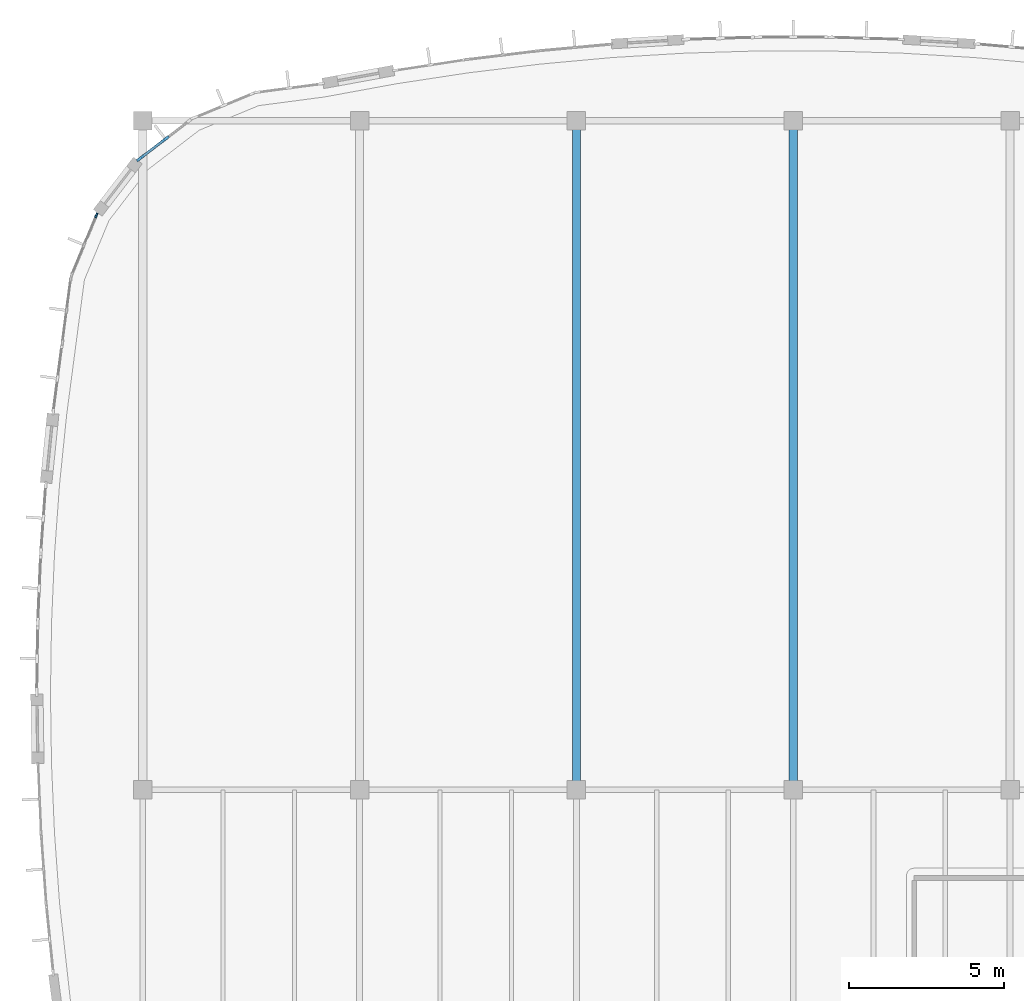
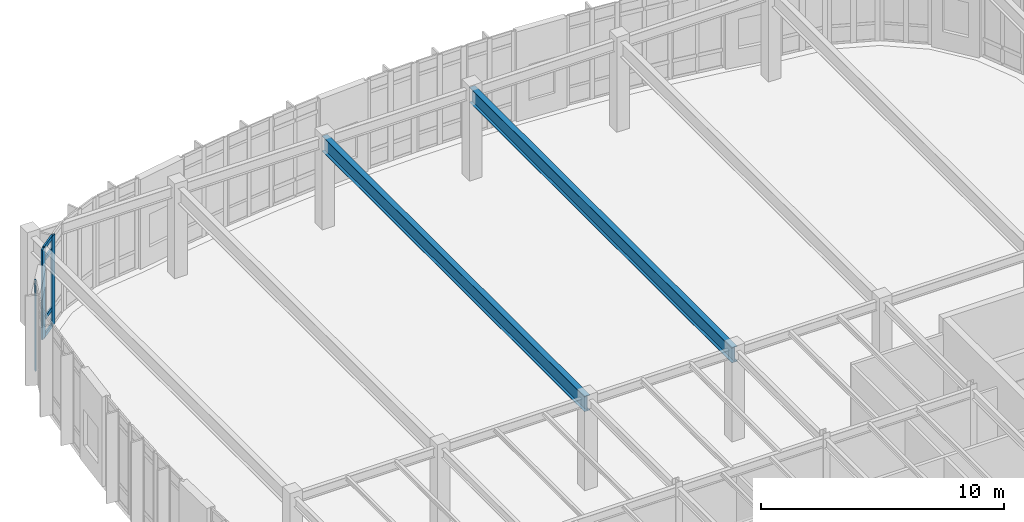
# One storey, part 45 of 120: 7 members, 2 beams, 2 elements without a shape of their own.
"""IFC4 building model written with IfcOpenShell, lengths in metres."""

from ifc_helpers import new_model, si_unit, direction, frame, origin, origin_2d, place, context, subcontext, project, spatial, rectangle, i_section, extrude, material, material_profile, profile_set, type_object, element, aggregate, save


model = new_model("IFC4")

# Units and contexts
model_context = context("Model", 3, precision=1e-05, world=origin(), true_north=direction((0.0, 1.0)))
body_context = subcontext(model_context, "Body", "Model", "MODEL_VIEW")
ifc_project = project(units=[si_unit("LENGTHUNIT", "METRE"), si_unit("AREAUNIT", "SQUARE_METRE"), si_unit("VOLUMEUNIT", "CUBIC_METRE"), si_unit("PLANEANGLEUNIT", "RADIAN"), si_unit("MASSUNIT", "GRAM", prefix="KILO")], contexts=[model_context])

# Site, building, storey
site_placement = place(None, origin())
site = spatial("IfcSite", under=ifc_project, at=site_placement, CompositionType="ELEMENT")
building_placement = place(site_placement, origin())
building = spatial("IfcBuilding", under=site, at=building_placement, Name="Corveleigh Park Community Centre", CompositionType="ELEMENT")
storey_placement = place(building_placement, origin())
storey = spatial("IfcBuildingStorey", under=building, at=storey_placement, Name="L00", CompositionType="ELEMENT", Elevation=0.0)

# Beams
ifc_material_1 = material(Name="Steel S355", Category="steel")
ifc_material_profile_1 = material_profile(ifc_material_1, i_section(OverallWidth=0.2666015625, OverallDepth=0.76220703125, WebThickness=0.014404296875, FlangeThickness=0.021484375, at=origin_2d()), Name="UKB 762x267x173", Category="steel")
ifc_profile_set_1 = profile_set([ifc_material_profile_1], Name="Steel S355")
beam_type = type_object("IfcBeamType", Name="BM-STL-UKB762x173", PredefinedType="BEAM", material=ifc_profile_set_1)
for number, where, z_axis, x_axis, name in (
    (1, (25.199951171875, 92.804931640625, 4.14599609375), (0.0, 1.0, 0.0), (-1.0, 0.0, 0.0), "V2 Hall Floor Girder"),
    (2, (32.199951171875, 92.804931640625, 4.14599609375), (0.0, 1.0, 0.0), (-1.0, 0.0, 0.0), "V2 Hall Floor Girder"),
):
    element("IfcBeam", number, at=place(storey_placement, frame(where, z_axis=z_axis, x_axis=x_axis)), inside=storey, type_object=beam_type, Name=name, PredefinedType="BEAM", context=body_context, shape_type="SweptSolid", body=[
        extrude(i_section(OverallWidth=0.2666015625, OverallDepth=0.76220703125, WebThickness=0.014404296875, FlangeThickness=0.021484375, at=origin_2d()), origin(), (0.0, 0.0, 1.0), 21.590087890625),
    ])

# Curtain wall, member
ifc_material_2 = material(Name="Anodised aluminium 6063-T6", Category="aluminium")
curtain_wall_type = type_object("IfcCurtainWallType", Name="CW-SYS-V2-L00", PredefinedType="NOTDEFINED", material=ifc_material_2)
curtain_wall_1_placement = place(storey_placement, origin())
curtain_wall_1 = element("IfcCurtainWall", 3, at=curtain_wall_1_placement, inside=storey, type_object=curtain_wall_type, Name="V2 L00 Curtain Wall 61", PredefinedType="NOTDEFINED")
ifc_material_profile_2 = material_profile(ifc_material_2, rectangle(XDim=0.06005859375, YDim=0.159912109375, at=origin_2d()), Name="ALU-M60x160", Category="aluminium")
ifc_profile_set_2 = profile_set([ifc_material_profile_2], Name="Anodised aluminium 6063-T6")
member_type_1 = type_object("IfcMemberType", Name="CWM-60x160", PredefinedType="MULLION", material=ifc_profile_set_2)
member_1_placement = place(storey_placement, frame((9.701416015625, 111.34228515625, 0.0), z_axis=(0.0, 0.0, 1.0), x_axis=(-0.923770494231, 0.382946568059, 0.0)))
member_1 = element("IfcMember", 4, at=member_1_placement, type_object=member_type_1, Name="CW03 mullion 3", PredefinedType="MULLION", context=body_context, shape_type="SweptSolid", body=[
    extrude(rectangle(XDim=0.06005859375, YDim=0.159912109375, at=origin_2d()), origin(), (0.0, 0.0, 1.0), 4.511962890625),
])
aggregate(curtain_wall_1, [member_1])

# Curtain wall, members
curtain_wall_2_placement = place(storey_placement, origin())
curtain_wall_2 = element("IfcCurtainWall", 5, at=curtain_wall_2_placement, inside=storey, type_object=curtain_wall_type, Name="V2 L00 Curtain Wall 60", PredefinedType="NOTDEFINED")
ifc_material_profile_3 = material_profile(ifc_material_2, rectangle(XDim=0.0849609375, YDim=0.27490234375, at=origin_2d()), Name="ALU-M85x275", Category="aluminium")
ifc_profile_set_3 = profile_set([ifc_material_profile_3], Name="Anodised aluminium 6063-T6")
member_type_2 = type_object("IfcMemberType", Name="CWM-85x275", PredefinedType="MULLION", material=ifc_profile_set_3)
member_2_placement = place(storey_placement, frame((11.11865234375, 113.184814453125, 0.0), z_axis=(0.0, 0.0, 1.0), x_axis=(-0.608825655317, 0.793304053581, 0.0)))
member_2 = element("IfcMember", 6, at=member_2_placement, type_object=member_type_2, Name="CW03 mullion 1", PredefinedType="MULLION", context=body_context, shape_type="SweptSolid", body=[
    extrude(rectangle(XDim=0.0849609375, YDim=0.27490234375, at=origin_2d()), origin(), (0.0, 0.0, 1.0), 4.511962890625),
])
member_3_placement = place(storey_placement, frame((11.929931640625, 113.8076171875, 0.0), z_axis=(0.0, 0.0, 1.0), x_axis=(-0.608825655317, 0.793304053581, 0.0)))
member_3 = element("IfcMember", 7, at=member_3_placement, type_object=member_type_2, Name="CW03 mullion 2", PredefinedType="MULLION", context=body_context, shape_type="SweptSolid", body=[
    extrude(rectangle(XDim=0.0849609375, YDim=0.27490234375, at=origin_2d()), origin(), (0.0, 0.0, 1.0), 4.511962890625),
])
ifc_material_profile_4 = material_profile(ifc_material_2, rectangle(XDim=0.080078125, YDim=0.195068359375, at=origin_2d()), Name="ALU-T80x195", Category="aluminium")
ifc_profile_set_4 = profile_set([ifc_material_profile_4], Name="Anodised aluminium 6063-T6")
member_type_3 = type_object("IfcMemberType", Name="CWT-80x195", PredefinedType="USERDEFINED", material=ifc_profile_set_4)
member_4_placement = place(storey_placement, frame((11.15234375, 113.210693359375, 0.0400390625), z_axis=(0.793233293584, 0.608917844993, 0.0), x_axis=(-0.608917844993, 0.793233293584, 0.0)))
member_4 = element("IfcMember", 8, at=member_4_placement, type_object=member_type_3, Name="CW03 transom 1.1", ObjectType="TRANSOM", PredefinedType="USERDEFINED", context=body_context, shape_type="SweptSolid", body=[
    extrude(rectangle(XDim=0.080078125, YDim=0.195068359375, at=origin_2d()), origin(), (0.0, 0.0, 1.0), 0.937744140625),
])
member_5_placement = place(storey_placement, frame((11.15234375, 113.210693359375, 0.89990234375), z_axis=(0.793233293584, 0.608917844993, 0.0), x_axis=(-0.608917844993, 0.793233293584, 0.0)))
member_5 = element("IfcMember", 9, at=member_5_placement, type_object=member_type_3, Name="CW03 transom 1.2", ObjectType="TRANSOM", PredefinedType="USERDEFINED", context=body_context, shape_type="SweptSolid", body=[
    extrude(rectangle(XDim=0.080078125, YDim=0.195068359375, at=origin_2d()), origin(), (0.0, 0.0, 1.0), 0.937744140625),
])
member_6_placement = place(storey_placement, frame((11.15234375, 113.210693359375, 3.862060546875), z_axis=(0.793233293584, 0.608917844993, 0.0), x_axis=(-0.608917844993, 0.793233293584, 0.0)))
member_6 = element("IfcMember", 10, at=member_6_placement, type_object=member_type_3, Name="CW03 transom 1.3", ObjectType="TRANSOM", PredefinedType="USERDEFINED", context=body_context, shape_type="SweptSolid", body=[
    extrude(rectangle(XDim=0.080078125, YDim=0.195068359375, at=origin_2d()), origin(), (0.0, 0.0, 1.0), 0.937744140625),
])
member_7_placement = place(storey_placement, frame((11.15234375, 113.210693359375, 4.471923828125), z_axis=(0.793233293584, 0.608917844993, 0.0), x_axis=(-0.608917844993, 0.793233293584, 0.0)))
member_7 = element("IfcMember", 11, at=member_7_placement, type_object=member_type_3, Name="CW03 transom 1.4", ObjectType="TRANSOM", PredefinedType="USERDEFINED", context=body_context, shape_type="SweptSolid", body=[
    extrude(rectangle(XDim=0.080078125, YDim=0.195068359375, at=origin_2d()), origin(), (0.0, 0.0, 1.0), 0.937744140625),
])
aggregate(curtain_wall_2, [member_2, member_3, member_4, member_5, member_6, member_7])

save(model, "model.ifc")
